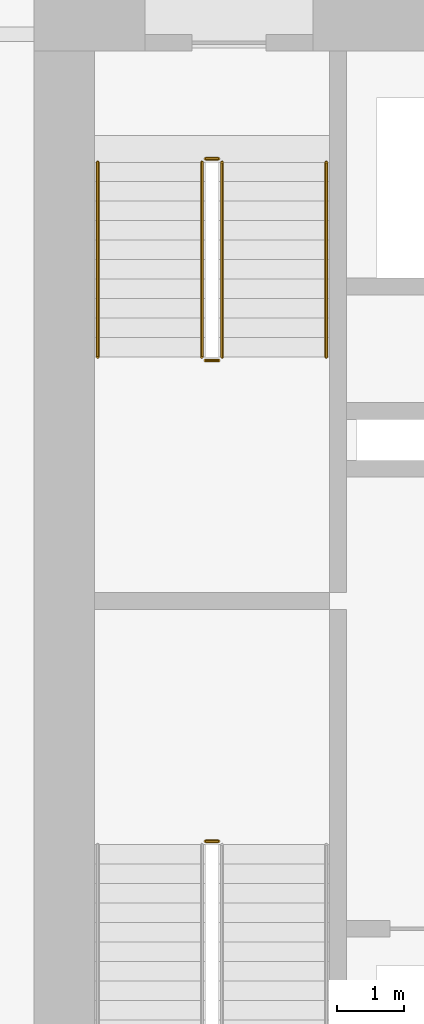
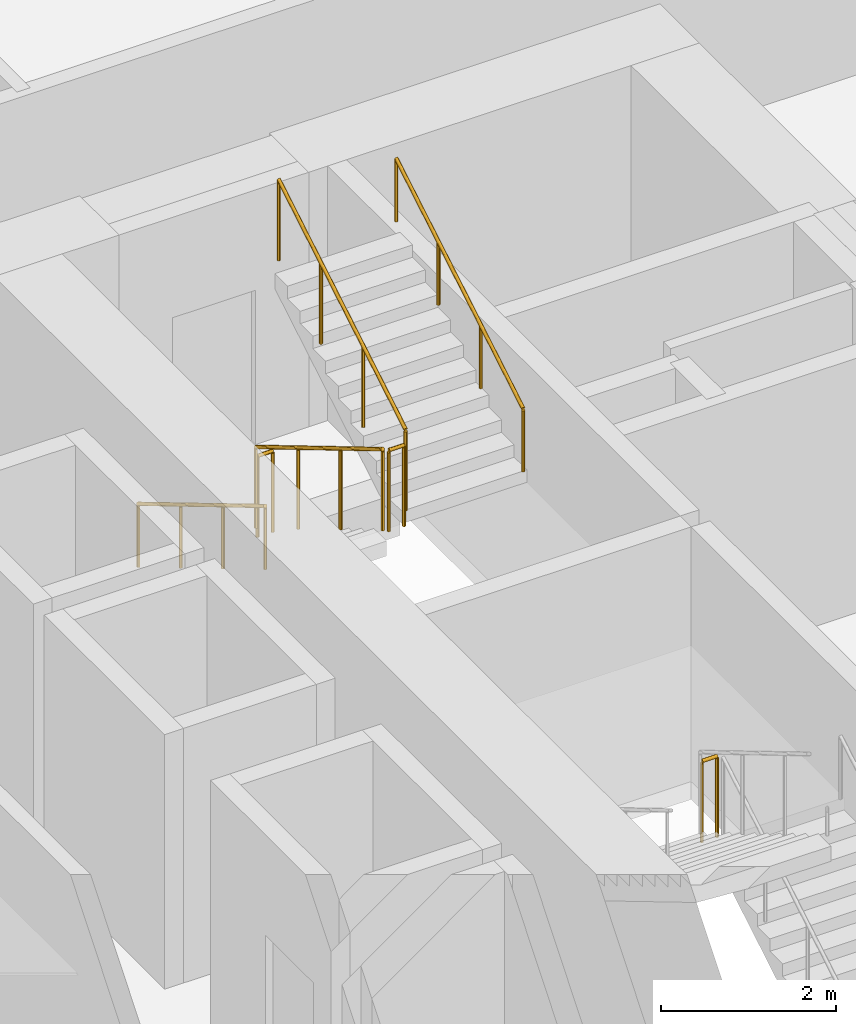
# One storey, part 26 of 27: 7 railings.
"""IFC4 building model written with IfcOpenShell, lengths in metres."""

from ifc_helpers import new_model, si_unit, direction, frame, origin, origin_2d, place, context, subcontext, project, spatial, circle, extrude, material, type_object, element, save


model = new_model("IFC4")

# Units and contexts
model_context = context("Model", 3, precision=1e-05, world=origin(), true_north=direction((0.0, 1.0)))
body_context = subcontext(model_context, "Body", "Model", "MODEL_VIEW")
ifc_project = project(units=[si_unit("LENGTHUNIT", "METRE"), si_unit("AREAUNIT", "SQUARE_METRE"), si_unit("VOLUMEUNIT", "CUBIC_METRE"), si_unit("PLANEANGLEUNIT", "RADIAN"), si_unit("MASSUNIT", "GRAM", prefix="KILO")], contexts=[model_context])

# Site, building, storey
site_placement = place(None, origin())
site = spatial("IfcSite", under=ifc_project, at=site_placement, CompositionType="ELEMENT")
building_placement = place(site_placement, origin())
building = spatial("IfcBuilding", under=site, at=building_placement, Name="Koriwani Terraces Tower", CompositionType="ELEMENT")
storey_placement = place(building_placement, frame((0.0, 0.0, 54.800048828125)))
storey = spatial("IfcBuildingStorey", under=building, at=storey_placement, Name="L12", CompositionType="ELEMENT", Elevation=54.800048828125)

# Railings
ifc_material = material(Name="Steel ASTM A572 Grade 50", Category="steel")
railing_type_1 = type_object("IfcRailingType", Name="GUARD_STAIR_WELL_1120", PredefinedType="GUARDRAIL", material=ifc_material)
railing_1_placement = place(storey_placement, frame((19.10009765625, 46.800048828125, 1.89990234375)))
element("IfcRailing", 1, at=railing_1_placement, inside=storey, type_object=railing_type_1, Name="L12 ST-W1 stair guard 2", PredefinedType="GUARDRAIL", context=body_context, shape_type="SweptSolid", body=[
    extrude(circle(Radius=0.02392578125, at=origin_2d()), frame((0.0, 0.0, 1.1259765625), z_axis=(-1.0, 0.0, 0.0), x_axis=(0.0, -1.0, 0.0)), (0.0, 0.0, 1.0), 0.2001953125),
    extrude(circle(Radius=0.02099609375, at=origin_2d()), origin(), (0.0, 0.0, 1.0), 1.101806640625),
    extrude(circle(Radius=0.02099609375, at=origin_2d()), frame((-0.2001953125, 0.0, 0.0)), (0.0, 0.0, 1.0), 1.101806640625),
])
railing_2_placement = place(storey_placement, frame((18.85009765625, 56.89990234375, 0.172607421875)))
element("IfcRailing", 2, at=railing_2_placement, inside=storey, type_object=railing_type_1, Name="L12 ST-W2 stair guard 1", PredefinedType="GUARDRAIL", context=body_context, shape_type="SweptSolid", body=[
    extrude(circle(Radius=0.02392578125, at=origin_2d()), frame((0.0, 0.0, 1.1259765625), z_axis=(0.0, -0.859141464434, 0.511738159696), x_axis=(1.0, 0.0, 0.0)), (0.0, 0.0, 1.0), 3.375244140625),
    extrude(circle(Radius=0.02099609375, at=origin_2d()), origin(), (0.0, 0.0, 1.0), 1.101806640625),
    extrude(circle(Radius=0.02099609375, at=origin_2d()), frame((0.0, -0.966552734375, 0.57568359375)), (0.0, 0.0, 1.0), 1.101806640625),
    extrude(circle(Radius=0.02099609375, at=origin_2d()), frame((0.0, -1.933349609375, 1.151611328125)), (0.0, 0.0, 1.0), 1.101806640625),
    extrude(circle(Radius=0.02099609375, at=origin_2d()), frame((0.0, -2.89990234375, 1.727294921875)), (0.0, 0.0, 1.0), 1.101806640625),
])
railing_3_placement = place(storey_placement, frame((18.89990234375, 53.949951171875, 1.89990234375)))
element("IfcRailing", 3, at=railing_3_placement, inside=storey, type_object=railing_type_1, Name="L12 ST-W2 stair guard 2", PredefinedType="GUARDRAIL", context=body_context, shape_type="SweptSolid", body=[
    extrude(circle(Radius=0.02392578125, at=origin_2d()), frame((0.0, 0.0, 1.1259765625), z_axis=(1.0, 0.0, 0.0), x_axis=(0.0, 1.0, 0.0)), (0.0, 0.0, 1.0), 0.2001953125),
    extrude(circle(Radius=0.02099609375, at=origin_2d()), origin(), (0.0, 0.0, 1.0), 1.101806640625),
    extrude(circle(Radius=0.02099609375, at=origin_2d()), frame((0.2001953125, 0.0, 0.0)), (0.0, 0.0, 1.0), 1.101806640625),
])
railing_4_placement = place(storey_placement, frame((19.14990234375, 54.0, 2.07275390625)))
element("IfcRailing", 4, at=railing_4_placement, inside=storey, type_object=railing_type_1, Name="L12 ST-W2 stair guard 3", PredefinedType="GUARDRAIL", context=body_context, shape_type="SweptSolid", body=[
    extrude(circle(Radius=0.02392578125, at=origin_2d()), frame((0.0, 0.0, 1.1259765625), z_axis=(0.0, 0.859141464434, 0.511738159696), x_axis=(-1.0, 0.0, 0.0)), (0.0, 0.0, 1.0), 3.375244140625),
    extrude(circle(Radius=0.02099609375, at=origin_2d()), origin(), (0.0, 0.0, 1.0), 1.101806640625),
    extrude(circle(Radius=0.02099609375, at=origin_2d()), frame((0.0, 0.966552734375, 0.57568359375)), (0.0, 0.0, 1.0), 1.101806640625),
    extrude(circle(Radius=0.02099609375, at=origin_2d()), frame((0.0, 1.933349609375, 1.151611328125)), (0.0, 0.0, 1.0), 1.101806640625),
    extrude(circle(Radius=0.02099609375, at=origin_2d()), frame((0.0, 2.89990234375, 1.727294921875)), (0.0, 0.0, 1.0), 1.101806640625),
])
railing_5_placement = place(storey_placement, frame((18.89990234375, 56.949951171875, 0.0)))
element("IfcRailing", 5, at=railing_5_placement, inside=storey, type_object=railing_type_1, Name="L12 ST-W2 stair guard 4", PredefinedType="GUARDRAIL", context=body_context, shape_type="SweptSolid", body=[
    extrude(circle(Radius=0.02392578125, at=origin_2d()), frame((0.0, 0.0, 1.1259765625), z_axis=(1.0, 0.0, 0.0), x_axis=(0.0, 1.0, 0.0)), (0.0, 0.0, 1.0), 0.2001953125),
    extrude(circle(Radius=0.02099609375, at=origin_2d()), origin(), (0.0, 0.0, 1.0), 1.101806640625),
    extrude(circle(Radius=0.02099609375, at=origin_2d()), frame((0.2001953125, 0.0, 0.0)), (0.0, 0.0, 1.0), 1.101806640625),
])
railing_type_2 = type_object("IfcRailingType", Name="HANDRAIL_STAIR_920", PredefinedType="HANDRAIL", material=ifc_material)
railing_6_placement = place(storey_placement, frame((17.300048828125, 56.89990234375, 0.172607421875)))
element("IfcRailing", 6, at=railing_6_placement, inside=storey, type_object=railing_type_2, Name="L12 ST-W2 stair handrail 1", PredefinedType="HANDRAIL", context=body_context, shape_type="SweptSolid", body=[
    extrude(circle(Radius=0.02392578125, at=origin_2d()), frame((0.0, 0.0, 0.8759765625), z_axis=(0.0, -0.859141464434, 0.511738159696), x_axis=(1.0, 0.0, 0.0)), (0.0, 0.0, 1.0), 3.375244140625),
    extrude(circle(Radius=0.02099609375, at=origin_2d()), origin(), (0.0, 0.0, 1.0), 0.851806640625),
    extrude(circle(Radius=0.02099609375, at=origin_2d()), frame((0.0, -0.966552734375, 0.57568359375)), (0.0, 0.0, 1.0), 0.851806640625),
    extrude(circle(Radius=0.02099609375, at=origin_2d()), frame((0.0, -1.933349609375, 1.151611328125)), (0.0, 0.0, 1.0), 0.851806640625),
    extrude(circle(Radius=0.02099609375, at=origin_2d()), frame((0.0, -2.89990234375, 1.727294921875)), (0.0, 0.0, 1.0), 0.851806640625),
])
railing_7_placement = place(storey_placement, frame((20.699951171875, 54.0, 2.07275390625)))
element("IfcRailing", 7, at=railing_7_placement, inside=storey, type_object=railing_type_2, Name="L12 ST-W2 stair handrail 2", PredefinedType="HANDRAIL", context=body_context, shape_type="SweptSolid", body=[
    extrude(circle(Radius=0.02392578125, at=origin_2d()), frame((0.0, 0.0, 0.8759765625), z_axis=(0.0, 0.859141464434, 0.511738159696), x_axis=(-1.0, 0.0, 0.0)), (0.0, 0.0, 1.0), 3.375244140625),
    extrude(circle(Radius=0.02099609375, at=origin_2d()), origin(), (0.0, 0.0, 1.0), 0.851806640625),
    extrude(circle(Radius=0.02099609375, at=origin_2d()), frame((0.0, 0.966552734375, 0.57568359375)), (0.0, 0.0, 1.0), 0.851806640625),
    extrude(circle(Radius=0.02099609375, at=origin_2d()), frame((0.0, 1.933349609375, 1.151611328125)), (0.0, 0.0, 1.0), 0.851806640625),
    extrude(circle(Radius=0.02099609375, at=origin_2d()), frame((0.0, 2.89990234375, 1.727294921875)), (0.0, 0.0, 1.0), 0.851806640625),
])

save(model, "model.ifc")
